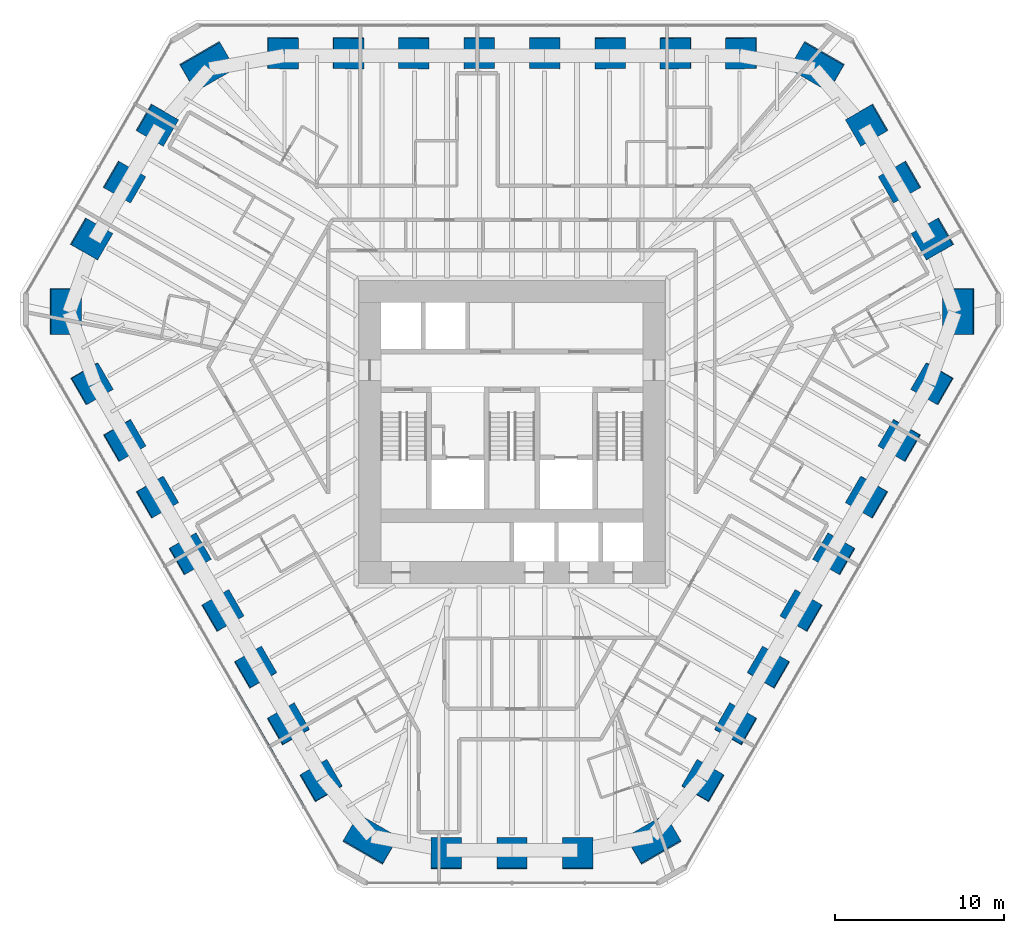
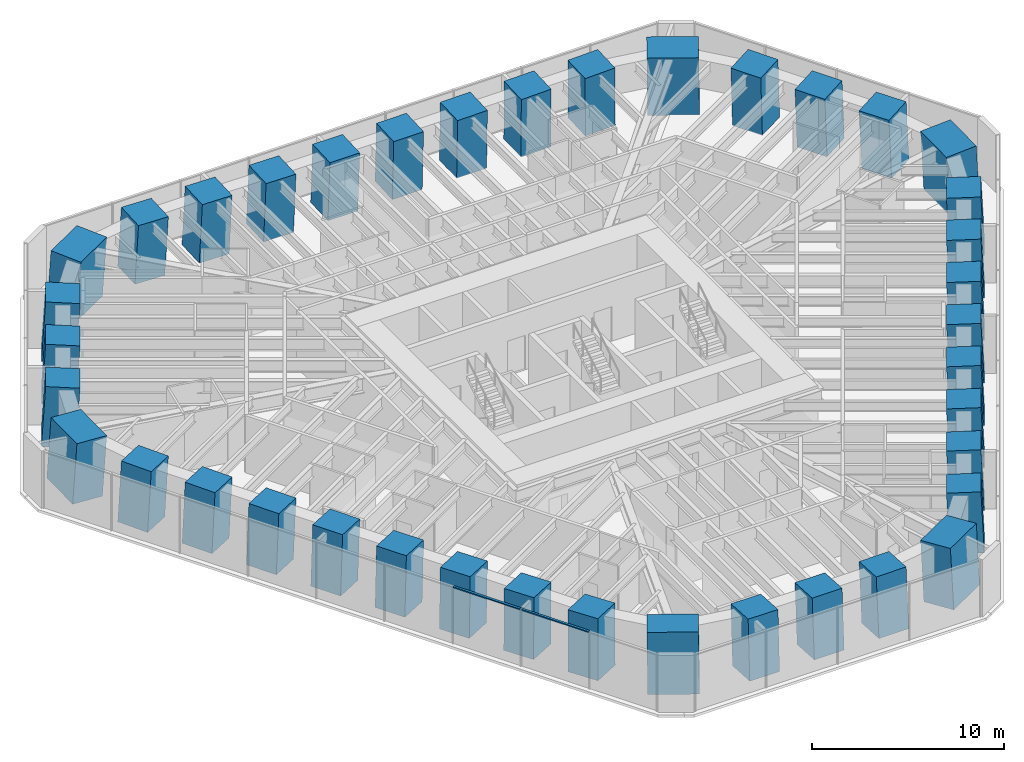
# One storey, part 1 of 18: 39 columns, 2 members, 1 element without a shape of its own.
"""IFC4 building model written with IfcOpenShell, lengths in metres."""

from ifc_helpers import new_model, si_unit, direction, frame, origin, origin_2d, place, context, subcontext, project, spatial, rectangle, extrude, material, material_profile, profile_set, type_object, element, aggregate, save


model = new_model("IFC4")

# Units and contexts
model_context = context("Model", 3, precision=1e-05, world=origin(), true_north=direction((0.0, 1.0)))
body_context = subcontext(model_context, "Body", "Model", "MODEL_VIEW")
ifc_project = project(units=[si_unit("LENGTHUNIT", "METRE"), si_unit("AREAUNIT", "SQUARE_METRE"), si_unit("VOLUMEUNIT", "CUBIC_METRE"), si_unit("PLANEANGLEUNIT", "RADIAN"), si_unit("MASSUNIT", "GRAM", prefix="KILO")], contexts=[model_context])

# Site, building, storey
site_placement = place(None, origin())
site = spatial("IfcSite", under=ifc_project, at=site_placement, CompositionType="ELEMENT")
building_placement = place(site_placement, origin())
building = spatial("IfcBuilding", under=site, at=building_placement, Name="Sandreach Pilgrim Tower", CompositionType="ELEMENT")
storey_placement = place(building_placement, frame((0.0, 0.0, 157.60009765625)))
storey = spatial("IfcBuildingStorey", under=building, at=storey_placement, Name="L39", CompositionType="ELEMENT", Elevation=157.60009765625)

# Columns
ifc_material_1 = material(Name="Concrete 10000 psi", Category="concrete")
ifc_material_profile_1 = material_profile(ifc_material_1, rectangle(XDim=1.800048828125, YDim=1.800048828125, at=origin_2d()), Name="RC1800X1800")
ifc_profile_set_1 = profile_set([ifc_material_profile_1], Name="Concrete 10000 psi")
column_type_1 = type_object("IfcColumnType", Name="Raked tube column RC1800X1800", PredefinedType="COLUMN", material=ifc_profile_set_1)
column_1_placement = place(storey_placement, frame((-13.55419921875, 20.87109375, 0.0), z_axis=(0.030663192144, -0.047213618029, 0.998414063863), x_axis=(0.001430335964, 0.998884815137, 0.047191950871)))
element("IfcColumn", 1, at=column_1_placement, inside=storey, type_object=column_type_1, Name="COL L39 T01", PredefinedType="COLUMN", context=body_context, shape_type="SweptSolid", body=[
    extrude(rectangle(XDim=1.800048828125, YDim=1.800048828125, at=origin_2d()), origin(), (0.0, 0.0, 1.0), 3.805908203125),
])
column_2_placement = place(storey_placement, frame((-9.681884765625, 20.871337890625, 0.0), z_axis=(0.021943972419, -0.047224455264, 0.998643236046), x_axis=(0.000382134245, 0.99888408844, 0.047227447904)))
element("IfcColumn", 2, at=column_2_placement, inside=storey, type_object=column_type_1, Name="COL L39 T02", PredefinedType="COLUMN", context=body_context, shape_type="SweptSolid", body=[
    extrude(rectangle(XDim=1.800048828125, YDim=1.800048828125, at=origin_2d()), origin(), (0.0, 0.0, 1.0), 3.804931640625),
])
column_3_placement = place(storey_placement, frame((-5.80908203125, 20.871826171875, 0.0), z_axis=(0.013091417732, -0.04723178162, 0.998798164589), x_axis=(0.001690651091, 0.998883382973, 0.047213651828)))
element("IfcColumn", 3, at=column_3_placement, inside=storey, type_object=column_type_1, Name="COL L39 T03", PredefinedType="COLUMN", context=body_context, shape_type="SweptSolid", body=[
    extrude(rectangle(XDim=1.800048828125, YDim=1.800048828125, at=origin_2d()), origin(), (0.0, 0.0, 1.0), 3.804443359375),
])
for number, where, z_axis, x_axis, name in (
    (4, (-1.9365234375, 20.8720703125, 0.0), (0.004428315601, -0.047235366406, 0.99887397112), (-0.000757626666, 0.99888332005, 0.047239167296), "COL L39 T04"),
    (5, (1.9365234375, 20.8720703125, 0.0), (-0.004428315601, -0.047235366406, 0.99887397112), (0.000757626666, 0.99888332005, 0.047239167296), "COL L39 T05"),
):
    element("IfcColumn", number, at=place(storey_placement, frame(where, z_axis=z_axis, x_axis=x_axis)), inside=storey, type_object=column_type_1, Name=name, PredefinedType="COLUMN", context=body_context, shape_type="SweptSolid", body=[
        extrude(rectangle(XDim=1.800048828125, YDim=1.800048828125, at=origin_2d()), origin(), (0.0, 0.0, 1.0), 3.80419921875),
    ])
column_4_placement = place(storey_placement, frame((5.80908203125, 20.871826171875, 0.0), z_axis=(-0.013091417732, -0.04723178162, 0.998798164589), x_axis=(-0.001690651091, 0.998883382973, 0.047213651828)))
element("IfcColumn", 6, at=column_4_placement, inside=storey, type_object=column_type_1, Name="COL L39 T06", PredefinedType="COLUMN", context=body_context, shape_type="SweptSolid", body=[
    extrude(rectangle(XDim=1.800048828125, YDim=1.800048828125, at=origin_2d()), origin(), (0.0, 0.0, 1.0), 3.804443359375),
])
column_5_placement = place(storey_placement, frame((9.681884765625, 20.871337890625, 0.0), z_axis=(-0.021943972419, -0.047224455264, 0.998643236046), x_axis=(-0.000382134245, 0.99888408844, 0.047227447904)))
element("IfcColumn", 7, at=column_5_placement, inside=storey, type_object=column_type_1, Name="COL L39 T07", PredefinedType="COLUMN", context=body_context, shape_type="SweptSolid", body=[
    extrude(rectangle(XDim=1.800048828125, YDim=1.800048828125, at=origin_2d()), origin(), (0.0, 0.0, 1.0), 3.804931640625),
])
column_6_placement = place(storey_placement, frame((13.55419921875, 20.87109375, 0.0), z_axis=(-0.030663192144, -0.047213618029, 0.998414063863), x_axis=(-0.001430335964, 0.998884815137, 0.047191950871)))
element("IfcColumn", 8, at=column_6_placement, inside=storey, type_object=column_type_1, Name="COL L39 T08", PredefinedType="COLUMN", context=body_context, shape_type="SweptSolid", body=[
    extrude(rectangle(XDim=1.800048828125, YDim=1.800048828125, at=origin_2d()), origin(), (0.0, 0.0, 1.0), 3.805908203125),
])
column_7_placement = place(storey_placement, frame((20.9873046875, 16.607421875, 0.0), z_axis=(-0.046755515126, -0.037006765744, 0.998220627464), x_axis=(0.864713998715, 0.498787980685, 0.058993650085)))
element("IfcColumn", 9, at=column_7_placement, inside=storey, type_object=column_type_1, Name="COL L39 T10", PredefinedType="COLUMN", context=body_context, shape_type="SweptSolid", body=[
    extrude(rectangle(XDim=1.800048828125, YDim=1.800048828125, at=origin_2d()), origin(), (0.0, 0.0, 1.0), 3.806640625),
])
column_8_placement = place(storey_placement, frame((22.93212890625, 13.239990234375, 0.0), z_axis=(-0.051118644107, -0.029503859836, 0.998256683664), x_axis=(0.864585236771, 0.499007790357, 0.059021974895)))
element("IfcColumn", 10, at=column_8_placement, inside=storey, type_object=column_type_1, Name="COL L39 T11", PredefinedType="COLUMN", context=body_context, shape_type="SweptSolid", body=[
    extrude(rectangle(XDim=1.800048828125, YDim=1.800048828125, at=origin_2d()), origin(), (0.0, 0.0, 1.0), 3.806396484375),
])
column_9_placement = place(storey_placement, frame((24.876220703125, 9.871826171875, 0.0), z_axis=(-0.05547790875, -0.021998754568, 0.998217539637), x_axis=(0.864392656416, 0.499338613299, 0.059044769478)))
element("IfcColumn", 11, at=column_9_placement, inside=storey, type_object=column_type_1, Name="COL L39 T12", PredefinedType="COLUMN", context=body_context, shape_type="SweptSolid", body=[
    extrude(rectangle(XDim=1.800048828125, YDim=1.800048828125, at=origin_2d()), origin(), (0.0, 0.0, 1.0), 3.806640625),
])
column_10_placement = place(storey_placement, frame((24.85205078125, 1.302734375, 0.0), z_axis=(-0.056258494944, -0.002950844661, 0.998411876062), x_axis=(0.864347245224, -0.500673236381, 0.047224464481)))
element("IfcColumn", 12, at=column_10_placement, inside=storey, type_object=column_type_1, Name="COL L39 T14", PredefinedType="COLUMN", context=body_context, shape_type="SweptSolid", body=[
    extrude(rectangle(XDim=1.800048828125, YDim=1.800048828125, at=origin_2d()), origin(), (0.0, 0.0, 1.0), 3.805908203125),
])
column_11_placement = place(storey_placement, frame((22.916015625, -2.051025390625, 0.0), z_axis=(-0.051844304244, 0.004619789487, 0.998644494133), x_axis=(0.864736632871, -0.500002190742, 0.047205561366)))
element("IfcColumn", 13, at=column_11_placement, inside=storey, type_object=column_type_1, Name="COL L39 T15", PredefinedType="COLUMN", context=body_context, shape_type="SweptSolid", body=[
    extrude(rectangle(XDim=1.800048828125, YDim=1.800048828125, at=origin_2d()), origin(), (0.0, 0.0, 1.0), 3.804931640625),
])
column_12_placement = place(storey_placement, frame((20.97998046875, -5.405029296875, 0.0), z_axis=(-0.047424371803, 0.012257178639, 0.998799624815), x_axis=(0.864359673153, -0.50065550358, 0.047184978132)))
element("IfcColumn", 14, at=column_12_placement, inside=storey, type_object=column_type_1, Name="COL L39 T16", PredefinedType="COLUMN", context=body_context, shape_type="SweptSolid", body=[
    extrude(rectangle(XDim=1.800048828125, YDim=1.800048828125, at=origin_2d()), origin(), (0.0, 0.0, 1.0), 3.804443359375),
])
for number, where, z_axis, x_axis, name in (
    (15, (19.0439453125, -8.759033203125, 0.0), (-0.043063829939, 0.01983118249, 0.998875483107), (0.864721924112, -0.500027449016, 0.047207459061), "COL L39 T17"),
    (16, (17.107666015625, -12.113037109375, 0.0), (-0.038763751203, 0.027404175105, 0.998872555825), (0.865526259706, -0.49862806942, 0.047268828483), "COL L39 T18"),
):
    element("IfcColumn", number, at=place(storey_placement, frame(where, z_axis=z_axis, x_axis=x_axis)), inside=storey, type_object=column_type_1, Name=name, PredefinedType="COLUMN", context=body_context, shape_type="SweptSolid", body=[
        extrude(rectangle(XDim=1.800048828125, YDim=1.800048828125, at=origin_2d()), origin(), (0.0, 0.0, 1.0), 3.80419921875),
    ])
column_13_placement = place(storey_placement, frame((15.1708984375, -15.466796875, 0.0), z_axis=(-0.034332811992, 0.035038720276, 0.998796048301), x_axis=(0.865110082133, -0.499351072902, 0.047255177316)))
element("IfcColumn", 17, at=column_13_placement, inside=storey, type_object=column_type_1, Name="COL L39 T19", PredefinedType="COLUMN", context=body_context, shape_type="SweptSolid", body=[
    extrude(rectangle(XDim=1.800048828125, YDim=1.800048828125, at=origin_2d()), origin(), (0.0, 0.0, 1.0), 3.804443359375),
])
column_14_placement = place(storey_placement, frame((13.234375, -18.8203125, 0.0), z_axis=(-0.029964491979, 0.042540595679, 0.998645295858), x_axis=(0.865972705034, -0.497859645085, 0.047191608709)))
element("IfcColumn", 18, at=column_14_placement, inside=storey, type_object=column_type_1, Name="COL L39 T20", PredefinedType="COLUMN", context=body_context, shape_type="SweptSolid", body=[
    extrude(rectangle(XDim=1.800048828125, YDim=1.800048828125, at=origin_2d()), origin(), (0.0, 0.0, 1.0), 3.804931640625),
])
column_15_placement = place(storey_placement, frame((11.297607421875, -22.173828125, 0.0), z_axis=(-0.025531290379, 0.050164495166, 0.998414581542), x_axis=(0.865564960214, -0.498568897752, 0.04718425419)))
element("IfcColumn", 19, at=column_15_placement, inside=storey, type_object=column_type_1, Name="COL L39 T21", PredefinedType="COLUMN", context=body_context, shape_type="SweptSolid", body=[
    extrude(rectangle(XDim=1.800048828125, YDim=1.800048828125, at=origin_2d()), origin(), (0.0, 0.0, 1.0), 3.805908203125),
])
column_16_placement = place(storey_placement, frame((3.888671875, -26.479248046875, 0.0), z_axis=(-0.008658424186, 0.059005557415, 0.998220103927), x_axis=(-0.000629039725, -0.99825764735, 0.059002320432)))
element("IfcColumn", 20, at=column_16_placement, inside=storey, type_object=column_type_1, Name="COL L39 T23", PredefinedType="COLUMN", context=body_context, shape_type="SweptSolid", body=[
    extrude(rectangle(XDim=1.800048828125, YDim=1.800048828125, at=origin_2d()), origin(), (0.0, 0.0, 1.0), 3.806640625),
])
column_17_placement = place(storey_placement, frame((0.0, -26.479736328125, 0.0), z_axis=(0.0, 0.059007769313, 0.998257523468), x_axis=(0.0, -0.998257523468, 0.059007769313)))
element("IfcColumn", 21, at=column_17_placement, inside=storey, type_object=column_type_1, Name="COL L39 T24", PredefinedType="COLUMN", context=body_context, shape_type="SweptSolid", body=[
    extrude(rectangle(XDim=1.800048828125, YDim=1.800048828125, at=origin_2d()), origin(), (0.0, 0.0, 1.0), 3.806396484375),
])
column_18_placement = place(storey_placement, frame((-3.888671875, -26.479248046875, 0.0), z_axis=(0.008658424186, 0.059005557415, 0.998220103927), x_axis=(0.000629039725, -0.99825764735, 0.059002320432)))
element("IfcColumn", 22, at=column_18_placement, inside=storey, type_object=column_type_1, Name="COL L39 T25", PredefinedType="COLUMN", context=body_context, shape_type="SweptSolid", body=[
    extrude(rectangle(XDim=1.800048828125, YDim=1.800048828125, at=origin_2d()), origin(), (0.0, 0.0, 1.0), 3.806640625),
])
column_19_placement = place(storey_placement, frame((-11.297607421875, -22.173828125, 0.0), z_axis=(0.025531290379, 0.050164495166, 0.998414581542), x_axis=(-0.865564960214, -0.498568897752, 0.04718425419)))
element("IfcColumn", 23, at=column_19_placement, inside=storey, type_object=column_type_1, Name="COL L39 T27", PredefinedType="COLUMN", context=body_context, shape_type="SweptSolid", body=[
    extrude(rectangle(XDim=1.800048828125, YDim=1.800048828125, at=origin_2d()), origin(), (0.0, 0.0, 1.0), 3.805908203125),
])
column_20_placement = place(storey_placement, frame((-13.234375, -18.8203125, 0.0), z_axis=(0.029964491979, 0.042540595679, 0.998645295858), x_axis=(-0.865972705034, -0.497859645085, 0.047191608709)))
element("IfcColumn", 24, at=column_20_placement, inside=storey, type_object=column_type_1, Name="COL L39 T28", PredefinedType="COLUMN", context=body_context, shape_type="SweptSolid", body=[
    extrude(rectangle(XDim=1.800048828125, YDim=1.800048828125, at=origin_2d()), origin(), (0.0, 0.0, 1.0), 3.804931640625),
])
column_21_placement = place(storey_placement, frame((-15.1708984375, -15.466796875, 0.0), z_axis=(0.034332811992, 0.035038720276, 0.998796048301), x_axis=(-0.865110082133, -0.499351072902, 0.047255177316)))
element("IfcColumn", 25, at=column_21_placement, inside=storey, type_object=column_type_1, Name="COL L39 T29", PredefinedType="COLUMN", context=body_context, shape_type="SweptSolid", body=[
    extrude(rectangle(XDim=1.800048828125, YDim=1.800048828125, at=origin_2d()), origin(), (0.0, 0.0, 1.0), 3.804443359375),
])
for number, where, z_axis, x_axis, name in (
    (26, (-17.107666015625, -12.113037109375, 0.0), (0.038763751203, 0.027404175105, 0.998872555825), (-0.865526259706, -0.49862806942, 0.047268828483), "COL L39 T30"),
    (27, (-19.0439453125, -8.759033203125, 0.0), (0.043063829939, 0.01983118249, 0.998875483107), (-0.864721924112, -0.500027449016, 0.047207459061), "COL L39 T31"),
):
    element("IfcColumn", number, at=place(storey_placement, frame(where, z_axis=z_axis, x_axis=x_axis)), inside=storey, type_object=column_type_1, Name=name, PredefinedType="COLUMN", context=body_context, shape_type="SweptSolid", body=[
        extrude(rectangle(XDim=1.800048828125, YDim=1.800048828125, at=origin_2d()), origin(), (0.0, 0.0, 1.0), 3.80419921875),
    ])
column_22_placement = place(storey_placement, frame((-20.97998046875, -5.405029296875, 0.0), z_axis=(0.047424371803, 0.012257178639, 0.998799624815), x_axis=(-0.864359673153, -0.50065550358, 0.047184978132)))
element("IfcColumn", 28, at=column_22_placement, inside=storey, type_object=column_type_1, Name="COL L39 T32", PredefinedType="COLUMN", context=body_context, shape_type="SweptSolid", body=[
    extrude(rectangle(XDim=1.800048828125, YDim=1.800048828125, at=origin_2d()), origin(), (0.0, 0.0, 1.0), 3.804443359375),
])
column_23_placement = place(storey_placement, frame((-22.916015625, -2.051025390625, 0.0), z_axis=(0.051844304244, 0.004619789487, 0.998644494133), x_axis=(-0.864736632871, -0.500002190742, 0.047205561366)))
element("IfcColumn", 29, at=column_23_placement, inside=storey, type_object=column_type_1, Name="COL L39 T33", PredefinedType="COLUMN", context=body_context, shape_type="SweptSolid", body=[
    extrude(rectangle(XDim=1.800048828125, YDim=1.800048828125, at=origin_2d()), origin(), (0.0, 0.0, 1.0), 3.804931640625),
])
column_24_placement = place(storey_placement, frame((-24.85205078125, 1.302734375, 0.0), z_axis=(0.056258494944, -0.002950844661, 0.998411876062), x_axis=(-0.864347245224, -0.500673236381, 0.047224464481)))
element("IfcColumn", 30, at=column_24_placement, inside=storey, type_object=column_type_1, Name="COL L39 T34", PredefinedType="COLUMN", context=body_context, shape_type="SweptSolid", body=[
    extrude(rectangle(XDim=1.800048828125, YDim=1.800048828125, at=origin_2d()), origin(), (0.0, 0.0, 1.0), 3.805908203125),
])
column_25_placement = place(storey_placement, frame((-24.876220703125, 9.871826171875, 0.0), z_axis=(0.05547790875, -0.021998754568, 0.998217539637), x_axis=(-0.864392656416, 0.499338613299, 0.059044769478)))
element("IfcColumn", 31, at=column_25_placement, inside=storey, type_object=column_type_1, Name="COL L39 T36", PredefinedType="COLUMN", context=body_context, shape_type="SweptSolid", body=[
    extrude(rectangle(XDim=1.800048828125, YDim=1.800048828125, at=origin_2d()), origin(), (0.0, 0.0, 1.0), 3.806640625),
])
column_26_placement = place(storey_placement, frame((-22.93212890625, 13.239990234375, 0.0), z_axis=(0.051118644107, -0.029503859836, 0.998256683664), x_axis=(-0.864585236771, 0.499007790357, 0.059021974895)))
element("IfcColumn", 32, at=column_26_placement, inside=storey, type_object=column_type_1, Name="COL L39 T37", PredefinedType="COLUMN", context=body_context, shape_type="SweptSolid", body=[
    extrude(rectangle(XDim=1.800048828125, YDim=1.800048828125, at=origin_2d()), origin(), (0.0, 0.0, 1.0), 3.806396484375),
])
column_27_placement = place(storey_placement, frame((-20.9873046875, 16.607421875, 0.0), z_axis=(0.046755515126, -0.037006765744, 0.998220627464), x_axis=(-0.864713998715, 0.498787980685, 0.058993650085)))
element("IfcColumn", 33, at=column_27_placement, inside=storey, type_object=column_type_1, Name="COL L39 T38", PredefinedType="COLUMN", context=body_context, shape_type="SweptSolid", body=[
    extrude(rectangle(XDim=1.800048828125, YDim=1.800048828125, at=origin_2d()), origin(), (0.0, 0.0, 1.0), 3.806640625),
])
ifc_material_2 = material(Name="Concrete 10000 psi", Category="concrete")
ifc_material_profile_2 = material_profile(ifc_material_2, rectangle(XDim=1.800048828125, YDim=2.699951171875, at=origin_2d()), Name="RC1800X2700")
ifc_profile_set_2 = profile_set([ifc_material_profile_2], Name="Concrete 10000 psi")
column_type_2 = type_object("IfcColumnType", Name="Raked tube corner pier RC1800X2700", PredefinedType="COLUMN", material=ifc_profile_set_2)
column_28_placement = place(storey_placement, frame((18.0234375, 20.072021484375, 0.0), z_axis=(-0.041106742063, -0.045788165106, 0.998105044418), x_axis=(0.498342743727, 0.864887482354, 0.060200935565)))
element("IfcColumn", 34, at=column_28_placement, inside=storey, type_object=column_type_2, Name="COL L39 T09", PredefinedType="COLUMN", context=body_context, shape_type="SweptSolid", body=[
    extrude(rectangle(XDim=1.800048828125, YDim=2.699951171875, at=origin_2d()), origin(), (0.0, 0.0, 1.0), 3.80712890625),
])
column_29_placement = place(storey_placement, frame((26.39453125, 5.57275390625, 0.0), z_axis=(-0.060153281143, -0.012697600924, 0.998108387751), x_axis=(0.998189150835, -0.000809117429, 0.060147855194)))
element("IfcColumn", 35, at=column_29_placement, inside=storey, type_object=column_type_2, Name="COL L39 T13", PredefinedType="COLUMN", context=body_context, shape_type="SweptSolid", body=[
    extrude(rectangle(XDim=1.800048828125, YDim=2.699951171875, at=origin_2d()), origin(), (0.0, 0.0, 1.0), 3.806884765625),
])
for number, where, z_axis, x_axis, name in (
    (36, (8.37109375, -25.644775390625, 0.0), (-0.019046365941, 0.058485810567, 0.99810653034), (0.499156496869, -0.864419734944, 0.060177350157), "COL L39 T22"),
    (37, (-8.37109375, -25.644775390625, 0.0), (0.019046365941, 0.058485810567, 0.99810653034), (-0.499156496869, -0.864419734944, 0.060177350157), "COL L39 T26"),
):
    element("IfcColumn", number, at=place(storey_placement, frame(where, z_axis=z_axis, x_axis=x_axis)), inside=storey, type_object=column_type_2, Name=name, PredefinedType="COLUMN", context=body_context, shape_type="SweptSolid", body=[
        extrude(rectangle(XDim=1.800048828125, YDim=2.699951171875, at=origin_2d()), origin(), (0.0, 0.0, 1.0), 3.80712890625),
    ])
column_30_placement = place(storey_placement, frame((-26.39453125, 5.57275390625, 0.0), z_axis=(0.060153281143, -0.012697600924, 0.998108387751), x_axis=(-0.998189150835, -0.000809117429, 0.060147855194)))
element("IfcColumn", 38, at=column_30_placement, inside=storey, type_object=column_type_2, Name="COL L39 T35", PredefinedType="COLUMN", context=body_context, shape_type="SweptSolid", body=[
    extrude(rectangle(XDim=1.800048828125, YDim=2.699951171875, at=origin_2d()), origin(), (0.0, 0.0, 1.0), 3.806884765625),
])
column_31_placement = place(storey_placement, frame((-18.0234375, 20.072021484375, 0.0), z_axis=(0.041106742063, -0.045788165106, 0.998105044418), x_axis=(-0.498342743727, 0.864887482354, 0.060200935565)))
element("IfcColumn", 39, at=column_31_placement, inside=storey, type_object=column_type_2, Name="COL L39 T39", PredefinedType="COLUMN", context=body_context, shape_type="SweptSolid", body=[
    extrude(rectangle(XDim=1.800048828125, YDim=2.699951171875, at=origin_2d()), origin(), (0.0, 0.0, 1.0), 3.80712890625),
])

# Curtain wall, members
ifc_material_3 = material(Name="Aluminium framed curtain wall", Category="aluminium")
curtain_wall_type = type_object("IfcCurtainWallType", Name="Hotel tower curtain wall", PredefinedType="NOTDEFINED", material=ifc_material_3)
curtain_wall_placement = place(storey_placement, origin())
curtain_wall = element("IfcCurtainWall", 40, at=curtain_wall_placement, inside=storey, type_object=curtain_wall_type, Name="CW-2 L39 SW", PredefinedType="NOTDEFINED")
ifc_material_4 = material(Name="Aluminium extrusion", Category="aluminium")
ifc_material_profile_3 = material_profile(ifc_material_4, rectangle(XDim=0.139892578125, YDim=0.070068359375, at=origin_2d()), Name="CW-2T 140X70")
ifc_profile_set_3 = profile_set([ifc_material_profile_3], Name="Aluminium extrusion")
member_type = type_object("IfcMemberType", Name="CW-2 transom", PredefinedType="USERDEFINED", material=ifc_profile_set_3)
member_1_placement = place(storey_placement, frame((-12.309326171875, -23.667236328125, 3.60498046875), z_axis=(-0.500023973715, 0.866011562111, 0.0), x_axis=(-0.866011562111, -0.500023973715, 0.0)))
member_1 = element("IfcMember", 41, at=member_1_placement, type_object=member_type, Name="CW-2 head transom 2", ObjectType="TRANSOM", PredefinedType="USERDEFINED", context=body_context, shape_type="SweptSolid", body=[
    extrude(rectangle(XDim=0.139892578125, YDim=0.070068359375, at=origin_2d()), origin(), (0.0, 0.0, 1.0), 4.041748046875),
])
member_2_placement = place(storey_placement, frame((-14.36279296875, -20.110595703125, 3.60498046875), z_axis=(-0.499997818338, 0.866026663364, 0.0), x_axis=(-0.866026663364, -0.499997818338, 0.0)))
member_2 = element("IfcMember", 42, at=member_2_placement, type_object=member_type, Name="CW-2 head transom 3", ObjectType="TRANSOM", PredefinedType="USERDEFINED", context=body_context, shape_type="SweptSolid", body=[
    extrude(rectangle(XDim=0.139892578125, YDim=0.070068359375, at=origin_2d()), origin(), (0.0, 0.0, 1.0), 4.0419921875),
])
aggregate(curtain_wall, [member_1, member_2])

save(model, "model.ifc")
